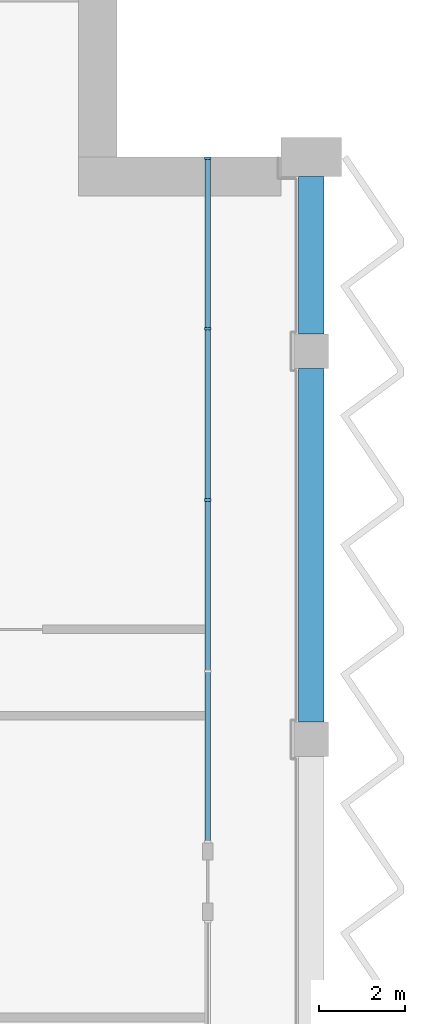
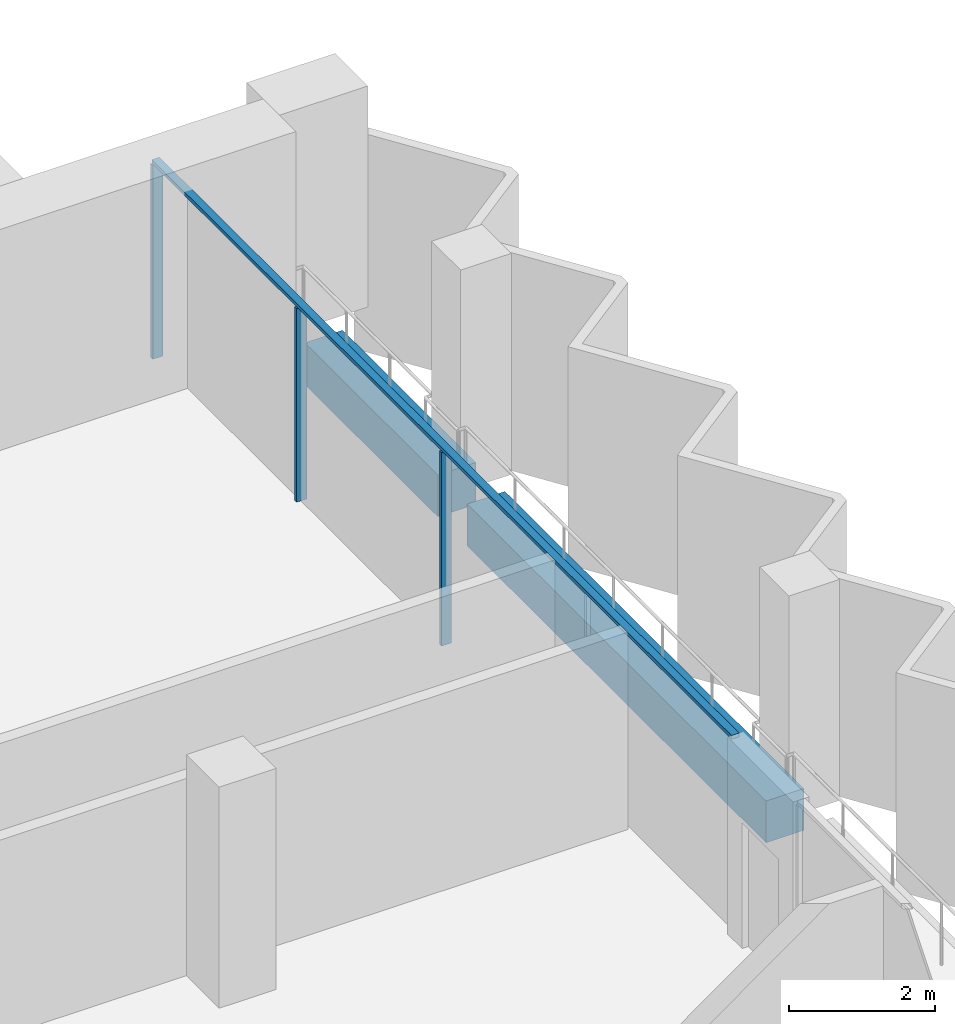
# One storey, part 5 of 14: 4 members, 2 beams, 1 element without a shape of its own.
"""IFC4 building model written with IfcOpenShell, lengths in metres."""

from ifc_helpers import new_model, si_unit, direction, frame, origin, origin_2d, place, context, subcontext, project, spatial, rectangle, extrude, material, material_profile, profile_set, type_object, element, aggregate, save


model = new_model("IFC4")

# Units and contexts
model_context = context("Model", 3, precision=1e-05, world=origin(), true_north=direction((0.0, 1.0)))
body_context = subcontext(model_context, "Body", "Model", "MODEL_VIEW")
ifc_project = project(units=[si_unit("LENGTHUNIT", "METRE"), si_unit("AREAUNIT", "SQUARE_METRE"), si_unit("VOLUMEUNIT", "CUBIC_METRE"), si_unit("PLANEANGLEUNIT", "RADIAN"), si_unit("MASSUNIT", "GRAM", prefix="KILO")], contexts=[model_context])

# Site, building, storey
site_placement = place(None, origin())
site = spatial("IfcSite", under=ifc_project, at=site_placement, CompositionType="ELEMENT")
building_placement = place(site_placement, origin())
building = spatial("IfcBuilding", under=site, at=building_placement, Name="Hunhe Ridgeline Campus", CompositionType="ELEMENT")
storey_placement = place(building_placement, frame((0.0, 0.0, 288.199951171875)))
storey = spatial("IfcBuildingStorey", under=building, at=storey_placement, Name="L74", CompositionType="ELEMENT", Elevation=288.199951171875)

# Curtain wall, members
ifc_material_1 = material(Name="Aluminium 6063", Category="aluminium")
curtain_wall_type = type_object("IfcCurtainWallType", Name="Curtain wall CW-1", PredefinedType="NOTDEFINED", material=ifc_material_1)
curtain_wall_placement = place(storey_placement, origin())
curtain_wall = element("IfcCurtainWall", 1, at=curtain_wall_placement, inside=storey, type_object=curtain_wall_type, Name="Curtain wall 12", PredefinedType="NOTDEFINED")
ifc_material_profile_1 = material_profile(ifc_material_1, rectangle(XDim=0.159912109375, YDim=0.06005859375, at=origin_2d()))
ifc_profile_set_1 = profile_set([ifc_material_profile_1], Name="Aluminium 6063")
member_type_1 = type_object("IfcMemberType", Name="CW-1 aluminium mullion", PredefinedType="MULLION", material=ifc_profile_set_1)
member_1_placement = place(storey_placement, frame((51.59912109375, 86.55029296875, 0.0), z_axis=(0.0, 0.0, 1.0), x_axis=(-1.0, 0.0, 0.0)))
member_1 = element("IfcMember", 2, at=member_1_placement, type_object=member_type_1, Name="CW-1 mullion 3", PredefinedType="MULLION", context=body_context, shape_type="SweptSolid", body=[
    extrude(rectangle(XDim=0.159912109375, YDim=0.06005859375, at=origin_2d()), origin(), (0.0, 0.0, 1.0), 3.239990234375),
])
member_2_placement = place(storey_placement, frame((51.59912109375, 90.525146484375, 0.0), z_axis=(0.0, 0.0, 1.0), x_axis=(-1.0, 0.0, 0.0)))
member_2 = element("IfcMember", 3, at=member_2_placement, type_object=member_type_1, Name="CW-1 mullion 4", PredefinedType="MULLION", context=body_context, shape_type="SweptSolid", body=[
    extrude(rectangle(XDim=0.159912109375, YDim=0.06005859375, at=origin_2d()), origin(), (0.0, 0.0, 1.0), 3.239990234375),
])
member_3_placement = place(storey_placement, frame((51.59912109375, 94.469970703125, 0.0), z_axis=(0.0, 0.0, 1.0), x_axis=(-1.0, 0.0, 0.0)))
member_3 = element("IfcMember", 4, at=member_3_placement, type_object=member_type_1, Name="CW-1 mullion 5", PredefinedType="MULLION", context=body_context, shape_type="SweptSolid", body=[
    extrude(rectangle(XDim=0.159912109375, YDim=0.06005859375, at=origin_2d()), origin(), (0.0, 0.0, 1.0), 3.239990234375),
])
ifc_material_profile_2 = material_profile(ifc_material_1, rectangle(XDim=0.1201171875, YDim=0.06005859375, at=origin_2d()))
ifc_profile_set_2 = profile_set([ifc_material_profile_2], Name="Aluminium 6063")
member_type_2 = type_object("IfcMemberType", Name="CW-1 aluminium transom", PredefinedType="USERDEFINED", material=ifc_profile_set_2)
member_4_placement = place(storey_placement, frame((51.59912109375, 78.6005859375, 3.27001953125), z_axis=(0.0, 1.0, 0.0), x_axis=(-1.0, 0.0, 0.0)))
member_4 = element("IfcMember", 5, at=member_4_placement, type_object=member_type_2, Name="CW-1 transom 1", ObjectType="TRANSOM", PredefinedType="USERDEFINED", context=body_context, shape_type="SweptSolid", body=[
    extrude(rectangle(XDim=0.1201171875, YDim=0.06005859375, at=origin_2d()), origin(), (0.0, 0.0, 1.0), 15.8994140625),
])
aggregate(curtain_wall, [member_4, member_1, member_2, member_3])

# Beams
ifc_material_2 = material(Name="Concrete C50", Category="concrete")
ifc_material_profile_3 = material_profile(ifc_material_2, rectangle(XDim=0.60009765625, YDim=0.699951171875, at=origin_2d()))
ifc_profile_set_3 = profile_set([ifc_material_profile_3], Name="Concrete C50")
beam_type = type_object("IfcBeamType", Name="RC spandrel beam 600x700 Concrete C50", PredefinedType="SPANDREL", material=ifc_profile_set_3)
beam_1_placement = place(storey_placement, frame((54.0, 81.39990234375, -0.599853515625), z_axis=(0.0, 1.0, 0.0), x_axis=(-1.0, 0.0, 0.0)))
element("IfcBeam", 6, at=beam_1_placement, inside=storey, type_object=beam_type, Name="Spandrel beam B4-15 L74", PredefinedType="SPANDREL", context=body_context, shape_type="SweptSolid", body=[
    extrude(rectangle(XDim=0.60009765625, YDim=0.699951171875, at=origin_2d()), origin(), (0.0, 0.0, 1.0), 8.2001953125),
])
beam_2_placement = place(storey_placement, frame((54.0, 90.39990234375, -0.599853515625), z_axis=(0.0, 1.0, 0.0), x_axis=(-1.0, 0.0, 0.0)))
element("IfcBeam", 7, at=beam_2_placement, inside=storey, type_object=beam_type, Name="Spandrel beam B4-16 L74", PredefinedType="SPANDREL", context=body_context, shape_type="SweptSolid", body=[
    extrude(rectangle(XDim=0.60009765625, YDim=0.699951171875, at=origin_2d()), origin(), (0.0, 0.0, 1.0), 3.650146484375),
])

save(model, "model.ifc")
